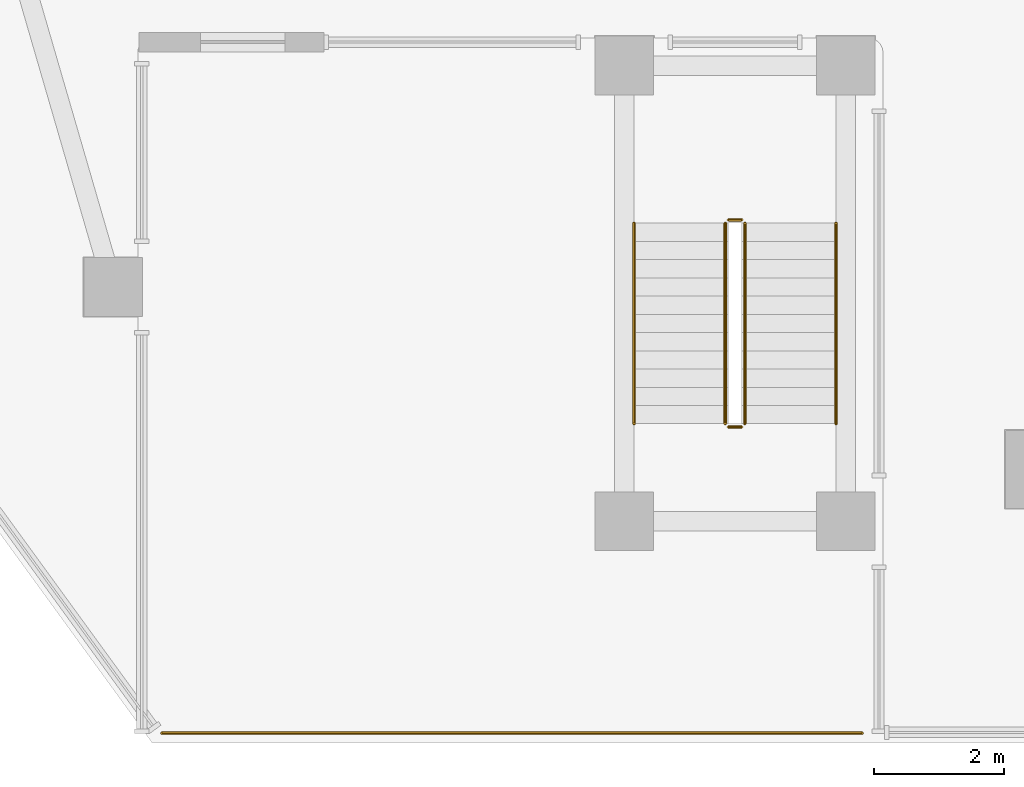
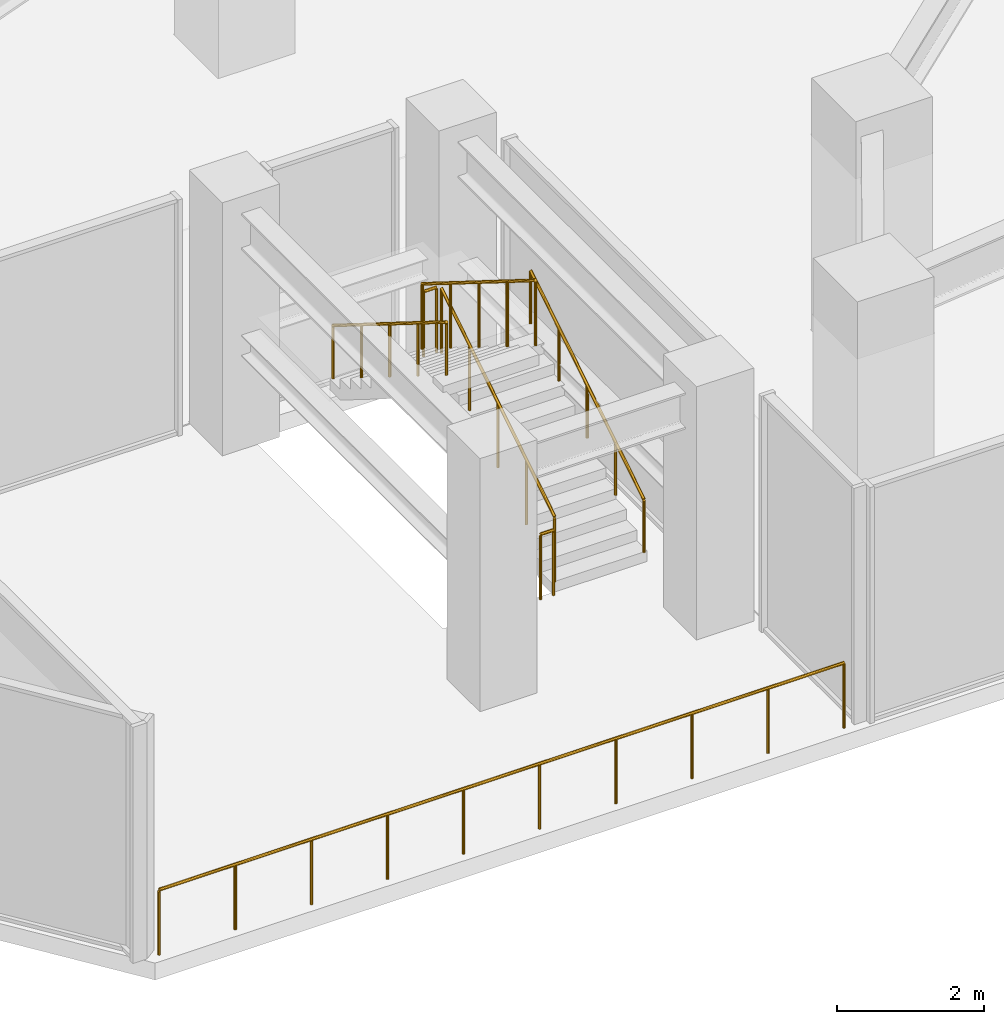
# One storey, part 14 of 21: 7 railings.
"""IFC4 building model written with IfcOpenShell, lengths in metres."""

import ifcopenshell
import ifcopenshell.guid

model = None  # the IFC model being written
_history = None  # IfcOwnerHistory: only IFC2X3 demands one
_inside = {}  # id of a spatial element -> (the spatial element, [elements in it])
_under = {}  # id of a project, library or spatial element -> (it, [spatial elements below it])
_declared = {}  # id of a project -> (the project, [libraries it declares])
_typed = {}  # id of a type object -> (the type object, [elements of that type])
_made_of = {}  # id of a material, layer set ... -> (it, [elements and type objects made of it])


def new_model(schema):
    """Start an empty IFC model of exactly this schema.

    Asked for "IFC4X3", IfcOpenShell would pick the latest addendum, in which some entities
    have other attributes; the version numbers below select the first issue.
    IFC2X3 requires an IfcOwnerHistory on every rooted entity: one is made here for all.
    """
    global model, _history
    if schema == "IFC4X3":
        model = ifcopenshell.file(schema_version=(4, 3, 0, 0))
    else:
        model = ifcopenshell.file(schema=schema)
    _inside.clear()
    _under.clear()
    _declared.clear()
    _typed.clear()
    _made_of.clear()
    _history = None
    if model.schema == "IFC2X3":
        org = make("IfcOrganization", Name="unknown")
        user = make(
            "IfcPersonAndOrganization",
            ThePerson=make("IfcPerson", FamilyName="unknown"),
            TheOrganization=org,
        )
        app = make(
            "IfcApplication",
            ApplicationDeveloper=org,
            Version="unknown",
            ApplicationFullName="unknown",
            ApplicationIdentifier="unknown",
        )
        _history = make(
            "IfcOwnerHistory",
            OwningUser=user,
            OwningApplication=app,
            ChangeAction="ADDED",
            CreationDate=0,
        )
    return model


def make(cls, **values):
    """One entity of the class cls with the attributes given. An attribute that is None is left unset."""
    return model.create_entity(
        cls, **{name: value for name, value in values.items() if value is not None}
    )


def rooted(cls, **values):
    """An entity with a GlobalId (a new one), such as an element, a storey or a relation."""
    return make(cls, GlobalId=ifcopenshell.guid.new(), OwnerHistory=_history, **values)


def si_unit(unit_type, name, prefix=None):
    """IfcSIUnit, for example si_unit("LENGTHUNIT", "METRE", prefix="MILLI")."""
    return make("IfcSIUnit", UnitType=unit_type, Prefix=prefix, Name=name)


def assignment(units):
    """IfcUnitAssignment: the units of a project."""
    return None if units is None else make("IfcUnitAssignment", Units=units)


def point(xyz):
    """IfcCartesianPoint."""
    return None if xyz is None else make("IfcCartesianPoint", Coordinates=xyz)


def direction(xyz):
    """IfcDirection."""
    return None if xyz is None else make("IfcDirection", DirectionRatios=xyz)


def frame(location, z_axis=None, x_axis=None):
    """IfcAxis2Placement3D, a coordinate frame: its origin and axes. An axis left out is left unset."""
    return make(
        "IfcAxis2Placement3D",
        Location=point(location),
        Axis=direction(z_axis),
        RefDirection=direction(x_axis),
    )


def frame_2d(location, x_axis=None):
    """IfcAxis2Placement2D, a coordinate frame in the plane: its origin and x axis."""
    return make(
        "IfcAxis2Placement2D", Location=point(location), RefDirection=direction(x_axis)
    )


def origin():
    """The frame at (0, 0, 0) with its axes left unset."""
    return frame((0.0, 0.0, 0.0))


def origin_2d():
    """The frame at (0, 0) in the plane with its x axis left unset."""
    return frame_2d((0.0, 0.0))


def place(relative_to, where):
    """IfcLocalPlacement: puts the frame where relative to a parent placement (None: the world)."""
    return make(
        "IfcLocalPlacement", PlacementRelTo=relative_to, RelativePlacement=where
    )


def context(
    kind, dimensions, precision=None, world=None, true_north=None, identifier=None
):
    """IfcGeometricRepresentationContext, for example the 3D "Model" context."""
    return make(
        "IfcGeometricRepresentationContext",
        ContextIdentifier=identifier,
        ContextType=kind,
        CoordinateSpaceDimension=dimensions,
        Precision=precision,
        WorldCoordinateSystem=world,
        TrueNorth=true_north,
    )


def subcontext(parent, identifier, kind, view, scale=None):
    """IfcGeometricRepresentationSubContext, for example "Body" below "Model"."""
    return make(
        "IfcGeometricRepresentationSubContext",
        ContextIdentifier=identifier,
        ContextType=kind,
        ParentContext=parent,
        TargetScale=scale,
        TargetView=view,
    )


def project(units=None, contexts=None):
    """IfcProject with its units and contexts."""
    return rooted(
        "IfcProject",
        Name="project",
        RepresentationContexts=contexts,
        UnitsInContext=assignment(units),
    )


def spatial(cls, under=None, at=None, **own):
    """A site, building, storey or space (cls), placed at a placement, below another one or the project."""
    s = rooted(cls, ObjectPlacement=at, **own)
    if under is not None:
        _under.setdefault(under.id(), (under, []))[1].append(s)
    return s


def profile(cls, at=None, kind="AREA", **sizes):
    """A parametric profile (cls). Its sizes go by their IFC names, for example OverallWidth=200.0."""
    return make(cls, ProfileType=kind, Position=at, **sizes)


def circle(**sizes):
    """IfcCircleProfileDef."""
    return profile("IfcCircleProfileDef", **sizes)


def extrude(swept, where, along, depth):
    """IfcExtrudedAreaSolid: the profile swept, set in the frame where, extruded along a direction by depth."""
    return make(
        "IfcExtrudedAreaSolid",
        SweptArea=swept,
        Position=where,
        ExtrudedDirection=direction(along),
        Depth=depth,
    )


def shape(context_of_items, identifier, shape_type, items):
    """IfcShapeRepresentation: the items that make up one representation, for example the "Body"."""
    return make(
        "IfcShapeRepresentation",
        ContextOfItems=context_of_items,
        RepresentationIdentifier=identifier,
        RepresentationType=shape_type,
        Items=items,
    )


def material(Name=None, Category=None):
    """IfcMaterial."""
    return make("IfcMaterial", Name=Name, Category=Category)


def made_of(thing, what):
    """Note that an element or type object is made of a material, layer set ...; save() writes the relation."""
    if what is not None:
        _made_of.setdefault(what.id(), (what, []))[1].append(thing)
    return thing


def type_object(cls, material=None, **own):
    """A type object (cls), such as IfcWallType, which elements share."""
    return made_of(rooted(cls, **own), material)


def element(
    cls,
    number,
    at=None,
    inside=None,
    cuts=None,
    type_object=None,
    material=None,
    context=None,
    identifier="Body",
    shape_type=None,
    held_by="IfcProductDefinitionShape",
    body=None,
    shapes=None,
    **own,
):
    """One element of the class cls, such as IfcWall. Its Tag is "e" and its number.

    at: its placement. inside: the storey or other place that contains it. cuts: it is an
    opening in that element (IfcRelVoidsElement). A single representation is given by context,
    identifier, shape_type and body (its items); several are given by shapes. held_by: the class
    of the entity that holds the representations. save() writes the other relations.
    """
    e = rooted(cls, Tag="e%d" % number, ObjectPlacement=at, **own)
    if body is not None:
        shapes = [shape(context, identifier, shape_type, body)]
    if shapes is not None:
        e.Representation = make(held_by, Representations=shapes)
    if inside is not None:
        _inside.setdefault(inside.id(), (inside, []))[1].append(e)
    if cuts is not None:
        rooted(
            "IfcRelVoidsElement", RelatingBuildingElement=cuts, RelatedOpeningElement=e
        )
    if type_object is not None:
        _typed.setdefault(type_object.id(), (type_object, []))[1].append(e)
    return made_of(e, material)


def aggregate(whole, parts):
    """IfcRelAggregates: a whole, such as a stair, and the parts it consists of."""
    return rooted("IfcRelAggregates", RelatingObject=whole, RelatedObjects=parts)


def save(model, path):
    """Write the relations noted so far, then the file.

    IfcRelAggregates (storeys below a building ...), IfcRelContainedInSpatialStructure (elements
    in a storey), IfcRelDefinesByType, IfcRelAssociatesMaterial and IfcRelDeclares: one each for
    every whole, place, type object, material and project.
    """
    for whole, parts in _under.values():
        aggregate(whole, parts)
    for where, things in _inside.values():
        rooted(
            "IfcRelContainedInSpatialStructure",
            RelatedElements=things,
            RelatingStructure=where,
        )
    for kind, things in _typed.values():
        rooted("IfcRelDefinesByType", RelatedObjects=things, RelatingType=kind)
    for what, things in _made_of.values():
        rooted("IfcRelAssociatesMaterial", RelatedObjects=things, RelatingMaterial=what)
    for by, libraries in _declared.values():
        rooted("IfcRelDeclares", RelatingContext=by, RelatedDefinitions=libraries)
    model.write(path)


model = new_model("IFC4")

# Units and contexts
model_context = context("Model", 3, precision=1e-05, world=origin(), true_north=direction((0.0, 1.0)))
body_context = subcontext(model_context, "Body", "Model", "MODEL_VIEW")
ifc_project = project(units=[si_unit("LENGTHUNIT", "METRE"), si_unit("AREAUNIT", "SQUARE_METRE"), si_unit("VOLUMEUNIT", "CUBIC_METRE"), si_unit("PLANEANGLEUNIT", "RADIAN"), si_unit("MASSUNIT", "GRAM", prefix="KILO")], contexts=[model_context])

# Site, building, storey
site_placement = place(None, origin())
site = spatial("IfcSite", under=ifc_project, at=site_placement, CompositionType="ELEMENT")
building_placement = place(site_placement, origin())
building = spatial("IfcBuilding", under=site, at=building_placement, Name="Savorim Split Tower", CompositionType="ELEMENT")
storey_placement = place(building_placement, frame((0.0, 0.0, 9.199951171875)))
storey = spatial("IfcBuildingStorey", under=building, at=storey_placement, Name="L02", CompositionType="ELEMENT", Elevation=9.199951171875)

# Railings
ifc_material = material(Name="Galvanised Painted Steel Balustrade", Category="steel")
railing_type_1 = type_object("IfcRailingType", Name="RLG-BAL-1100", PredefinedType="BALUSTRADE", material=ifc_material)
railing_1_placement = place(storey_placement, frame((-36.050048828125, -28.050048828125, 0.0)))
element("IfcRailing", 1, at=railing_1_placement, inside=storey, type_object=railing_type_1, Name="L02 Open-Air Stepped Garden Stair Terrace Balustrade", PredefinedType="BALUSTRADE", context=body_context, shape_type="SweptSolid", body=[
    extrude(circle(Radius=0.02392578125, at=origin_2d()), frame((0.0, 0.0, 1.076171875), z_axis=(1.0, 0.0, 0.0), x_axis=(0.0, 1.0, 0.0)), (0.0, 0.0, 1.0), 10.75),
    extrude(circle(Radius=0.02099609375, at=origin_2d()), origin(), (0.0, 0.0, 1.0), 1.052001953125),
    extrude(circle(Radius=0.02099609375, at=origin_2d()), frame((1.1943359375, 0.0, 0.0)), (0.0, 0.0, 1.0), 1.052001953125),
    extrude(circle(Radius=0.02099609375, at=origin_2d()), frame((2.388916015625, 0.0, 0.0)), (0.0, 0.0, 1.0), 1.052001953125),
    extrude(circle(Radius=0.02099609375, at=origin_2d()), frame((3.583251953125, 0.0, 0.0)), (0.0, 0.0, 1.0), 1.052001953125),
    extrude(circle(Radius=0.02099609375, at=origin_2d()), frame((4.77783203125, 0.0, 0.0)), (0.0, 0.0, 1.0), 1.052001953125),
    extrude(circle(Radius=0.02099609375, at=origin_2d()), frame((5.97216796875, 0.0, 0.0)), (0.0, 0.0, 1.0), 1.052001953125),
    extrude(circle(Radius=0.02099609375, at=origin_2d()), frame((7.166748046875, 0.0, 0.0)), (0.0, 0.0, 1.0), 1.052001953125),
    extrude(circle(Radius=0.02099609375, at=origin_2d()), frame((8.361083984375, 0.0, 0.0)), (0.0, 0.0, 1.0), 1.052001953125),
    extrude(circle(Radius=0.02099609375, at=origin_2d()), frame((9.5556640625, 0.0, 0.0)), (0.0, 0.0, 1.0), 1.052001953125),
    extrude(circle(Radius=0.02099609375, at=origin_2d()), frame((10.75, 0.0, 0.0)), (0.0, 0.0, 1.0), 1.052001953125),
])
railing_type_2 = type_object("IfcRailingType", Name="RLG-HR-900", PredefinedType="HANDRAIL", material=ifc_material)
railing_2_placement = place(storey_placement, frame((-25.699951171875, -23.300048828125, 0.175048828125)))
element("IfcRailing", 2, at=railing_2_placement, inside=storey, type_object=railing_type_2, Name="L02 ST-GDN stair handrail 1", PredefinedType="HANDRAIL", context=body_context, shape_type="SweptSolid", body=[
    extrude(circle(Radius=0.02392578125, at=origin_2d()), frame((0.0, 0.0, 0.8759765625), z_axis=(0.0, 0.847998304005, 0.529998940003), x_axis=(-1.0, 0.0, 0.0)), (0.0, 0.0, 1.0), 3.632080078125),
    extrude(circle(Radius=0.02099609375, at=origin_2d()), origin(), (0.0, 0.0, 1.0), 0.851806640625),
    extrude(circle(Radius=0.02099609375, at=origin_2d()), frame((0.0, 0.77001953125, 0.481201171875)), (0.0, 0.0, 1.0), 0.851806640625),
    extrude(circle(Radius=0.02099609375, at=origin_2d()), frame((0.0, 1.5400390625, 0.96240234375)), (0.0, 0.0, 1.0), 0.851806640625),
    extrude(circle(Radius=0.02099609375, at=origin_2d()), frame((0.0, 2.31005859375, 1.44384765625)), (0.0, 0.0, 1.0), 0.851806640625),
    extrude(circle(Radius=0.02099609375, at=origin_2d()), frame((0.0, 3.080078125, 1.925048828125)), (0.0, 0.0, 1.0), 0.851806640625),
])
railing_3_placement = place(storey_placement, frame((-28.800048828125, -20.219970703125, 2.275146484375)))
element("IfcRailing", 3, at=railing_3_placement, inside=storey, type_object=railing_type_2, Name="L02 ST-GDN stair handrail 2", PredefinedType="HANDRAIL", context=body_context, shape_type="SweptSolid", body=[
    extrude(circle(Radius=0.02392578125, at=origin_2d()), frame((0.0, 0.0, 0.8759765625), z_axis=(0.0, -0.848028513186, 0.529950602248), x_axis=(1.0, 0.0, 0.0)), (0.0, 0.0, 1.0), 3.632080078125),
    extrude(circle(Radius=0.02099609375, at=origin_2d()), origin(), (0.0, 0.0, 1.0), 0.851806640625),
    extrude(circle(Radius=0.02099609375, at=origin_2d()), frame((0.0, -0.77001953125, 0.481201171875)), (0.0, 0.0, 1.0), 0.851806640625),
    extrude(circle(Radius=0.02099609375, at=origin_2d()), frame((0.0, -1.5400390625, 0.96240234375)), (0.0, 0.0, 1.0), 0.851806640625),
    extrude(circle(Radius=0.02099609375, at=origin_2d()), frame((0.0, -2.31005859375, 1.443603515625)), (0.0, 0.0, 1.0), 0.851806640625),
    extrude(circle(Radius=0.02099609375, at=origin_2d()), frame((0.0, -3.080078125, 1.9248046875)), (0.0, 0.0, 1.0), 0.851806640625),
])
railing_type_3 = type_object("IfcRailingType", Name="RLG-STG-1100", PredefinedType="BALUSTRADE", material=ifc_material)
railing_4_placement = place(storey_placement, frame((-27.10009765625, -23.300048828125, 0.175048828125)))
element("IfcRailing", 4, at=railing_4_placement, inside=storey, type_object=railing_type_3, Name="L02 ST-GDN stair guard 1", PredefinedType="BALUSTRADE", context=body_context, shape_type="SweptSolid", body=[
    extrude(circle(Radius=0.02392578125, at=origin_2d()), frame((0.0, 0.0, 1.076171875), z_axis=(0.0, 0.847998304005, 0.529998940003), x_axis=(-1.0, 0.0, 0.0)), (0.0, 0.0, 1.0), 3.632080078125),
    extrude(circle(Radius=0.02099609375, at=origin_2d()), origin(), (0.0, 0.0, 1.0), 1.052001953125),
    extrude(circle(Radius=0.02099609375, at=origin_2d()), frame((0.0, 0.77001953125, 0.481201171875)), (0.0, 0.0, 1.0), 1.052001953125),
    extrude(circle(Radius=0.02099609375, at=origin_2d()), frame((0.0, 1.5400390625, 0.96240234375)), (0.0, 0.0, 1.0), 1.052001953125),
    extrude(circle(Radius=0.02099609375, at=origin_2d()), frame((0.0, 2.31005859375, 1.44384765625)), (0.0, 0.0, 1.0), 1.052001953125),
    extrude(circle(Radius=0.02099609375, at=origin_2d()), frame((0.0, 3.080078125, 1.925048828125)), (0.0, 0.0, 1.0), 1.052001953125),
])
railing_5_placement = place(storey_placement, frame((-27.14990234375, -20.169921875, 2.10009765625)))
element("IfcRailing", 5, at=railing_5_placement, inside=storey, type_object=railing_type_3, Name="L02 ST-GDN stair guard 2", PredefinedType="BALUSTRADE", context=body_context, shape_type="SweptSolid", body=[
    extrude(circle(Radius=0.02392578125, at=origin_2d()), frame((0.0, 0.0, 1.076171875), z_axis=(-1.0, 0.0, 0.0), x_axis=(0.0, -1.0, 0.0)), (0.0, 0.0, 1.0), 0.2001953125),
    extrude(circle(Radius=0.02099609375, at=origin_2d()), origin(), (0.0, 0.0, 1.0), 1.052001953125),
    extrude(circle(Radius=0.02099609375, at=origin_2d()), frame((-0.2001953125, 0.0, 0.0)), (0.0, 0.0, 1.0), 1.052001953125),
])
railing_6_placement = place(storey_placement, frame((-27.39990234375, -20.219970703125, 2.275146484375)))
element("IfcRailing", 6, at=railing_6_placement, inside=storey, type_object=railing_type_3, Name="L02 ST-GDN stair guard 3", PredefinedType="BALUSTRADE", context=body_context, shape_type="SweptSolid", body=[
    extrude(circle(Radius=0.02392578125, at=origin_2d()), frame((0.0, 0.0, 1.076171875), z_axis=(0.0, -0.848028513186, 0.529950602248), x_axis=(1.0, 0.0, 0.0)), (0.0, 0.0, 1.0), 3.632080078125),
    extrude(circle(Radius=0.02099609375, at=origin_2d()), origin(), (0.0, 0.0, 1.0), 1.052001953125),
    extrude(circle(Radius=0.02099609375, at=origin_2d()), frame((0.0, -0.77001953125, 0.481201171875)), (0.0, 0.0, 1.0), 1.052001953125),
    extrude(circle(Radius=0.02099609375, at=origin_2d()), frame((0.0, -1.5400390625, 0.96240234375)), (0.0, 0.0, 1.0), 1.052001953125),
    extrude(circle(Radius=0.02099609375, at=origin_2d()), frame((0.0, -2.31005859375, 1.443603515625)), (0.0, 0.0, 1.0), 1.052001953125),
    extrude(circle(Radius=0.02099609375, at=origin_2d()), frame((0.0, -3.080078125, 1.9248046875)), (0.0, 0.0, 1.0), 1.052001953125),
])
railing_7_placement = place(storey_placement, frame((-27.14990234375, -23.35009765625, 0.0)))
element("IfcRailing", 7, at=railing_7_placement, inside=storey, type_object=railing_type_3, Name="L02 ST-GDN stair guard 4", PredefinedType="BALUSTRADE", context=body_context, shape_type="SweptSolid", body=[
    extrude(circle(Radius=0.02392578125, at=origin_2d()), frame((0.0, 0.0, 1.076171875), z_axis=(-1.0, 0.0, 0.0), x_axis=(0.0, -1.0, 0.0)), (0.0, 0.0, 1.0), 0.2001953125),
    extrude(circle(Radius=0.02099609375, at=origin_2d()), origin(), (0.0, 0.0, 1.0), 1.052001953125),
    extrude(circle(Radius=0.02099609375, at=origin_2d()), frame((-0.2001953125, 0.0, 0.0)), (0.0, 0.0, 1.0), 1.052001953125),
])

save(model, "model.ifc")
